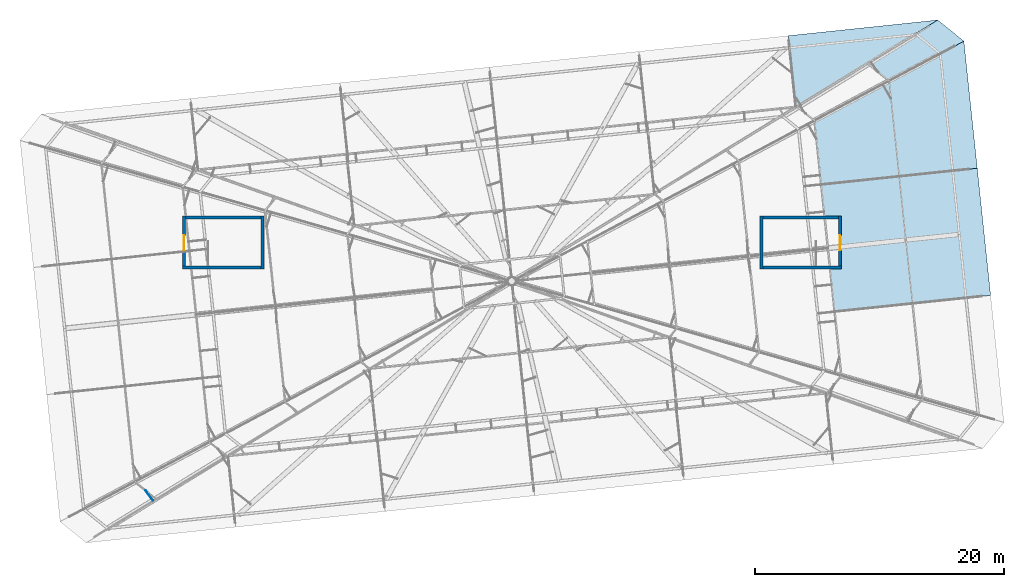
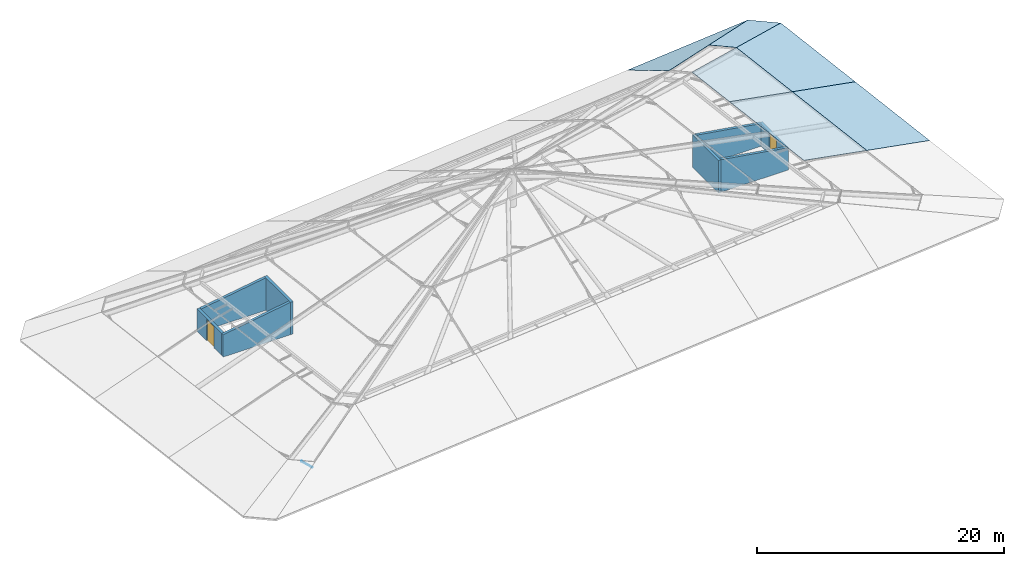
"""IFC4 building model written with IfcOpenShell, lengths in metres."""

import ifcopenshell
import ifcopenshell.guid

model = None  # the IFC model being written
_history = None  # IfcOwnerHistory: only IFC2X3 demands one
_inside = {}  # id of a spatial element -> (the spatial element, [elements in it])
_under = {}  # id of a project, library or spatial element -> (it, [spatial elements below it])
_declared = {}  # id of a project -> (the project, [libraries it declares])
_typed = {}  # id of a type object -> (the type object, [elements of that type])
_made_of = {}  # id of a material, layer set ... -> (it, [elements and type objects made of it])


def new_model(schema):
    """Start an empty IFC model of exactly this schema.

    Asked for "IFC4X3", IfcOpenShell would pick the latest addendum, in which some entities
    have other attributes; the version numbers below select the first issue.
    IFC2X3 requires an IfcOwnerHistory on every rooted entity: one is made here for all.
    """
    global model, _history
    if schema == "IFC4X3":
        model = ifcopenshell.file(schema_version=(4, 3, 0, 0))
    else:
        model = ifcopenshell.file(schema=schema)
    _inside.clear()
    _under.clear()
    _declared.clear()
    _typed.clear()
    _made_of.clear()
    _history = None
    if model.schema == "IFC2X3":
        org = make("IfcOrganization", Name="unknown")
        user = make(
            "IfcPersonAndOrganization",
            ThePerson=make("IfcPerson", FamilyName="unknown"),
            TheOrganization=org,
        )
        app = make(
            "IfcApplication",
            ApplicationDeveloper=org,
            Version="unknown",
            ApplicationFullName="unknown",
            ApplicationIdentifier="unknown",
        )
        _history = make(
            "IfcOwnerHistory",
            OwningUser=user,
            OwningApplication=app,
            ChangeAction="ADDED",
            CreationDate=0,
        )
    return model


def make(cls, **values):
    """One entity of the class cls with the attributes given. An attribute that is None is left unset."""
    return model.create_entity(
        cls, **{name: value for name, value in values.items() if value is not None}
    )


def rooted(cls, **values):
    """An entity with a GlobalId (a new one), such as an element, a storey or a relation."""
    return make(cls, GlobalId=ifcopenshell.guid.new(), OwnerHistory=_history, **values)


def si_unit(unit_type, name, prefix=None):
    """IfcSIUnit, for example si_unit("LENGTHUNIT", "METRE", prefix="MILLI")."""
    return make("IfcSIUnit", UnitType=unit_type, Prefix=prefix, Name=name)


def assignment(units):
    """IfcUnitAssignment: the units of a project."""
    return None if units is None else make("IfcUnitAssignment", Units=units)


def point(xyz):
    """IfcCartesianPoint."""
    return None if xyz is None else make("IfcCartesianPoint", Coordinates=xyz)


def direction(xyz):
    """IfcDirection."""
    return None if xyz is None else make("IfcDirection", DirectionRatios=xyz)


def frame(location, z_axis=None, x_axis=None):
    """IfcAxis2Placement3D, a coordinate frame: its origin and axes. An axis left out is left unset."""
    return make(
        "IfcAxis2Placement3D",
        Location=point(location),
        Axis=direction(z_axis),
        RefDirection=direction(x_axis),
    )


def frame_2d(location, x_axis=None):
    """IfcAxis2Placement2D, a coordinate frame in the plane: its origin and x axis."""
    return make(
        "IfcAxis2Placement2D", Location=point(location), RefDirection=direction(x_axis)
    )


def origin():
    """The frame at (0, 0, 0) with its axes left unset."""
    return frame((0.0, 0.0, 0.0))


def origin_2d():
    """The frame at (0, 0) in the plane with its x axis left unset."""
    return frame_2d((0.0, 0.0))


def place(relative_to, where):
    """IfcLocalPlacement: puts the frame where relative to a parent placement (None: the world)."""
    return make(
        "IfcLocalPlacement", PlacementRelTo=relative_to, RelativePlacement=where
    )


def context(
    kind, dimensions, precision=None, world=None, true_north=None, identifier=None
):
    """IfcGeometricRepresentationContext, for example the 3D "Model" context."""
    return make(
        "IfcGeometricRepresentationContext",
        ContextIdentifier=identifier,
        ContextType=kind,
        CoordinateSpaceDimension=dimensions,
        Precision=precision,
        WorldCoordinateSystem=world,
        TrueNorth=true_north,
    )


def subcontext(parent, identifier, kind, view, scale=None):
    """IfcGeometricRepresentationSubContext, for example "Body" below "Model"."""
    return make(
        "IfcGeometricRepresentationSubContext",
        ContextIdentifier=identifier,
        ContextType=kind,
        ParentContext=parent,
        TargetScale=scale,
        TargetView=view,
    )


def project(units=None, contexts=None):
    """IfcProject with its units and contexts."""
    return rooted(
        "IfcProject",
        Name="project",
        RepresentationContexts=contexts,
        UnitsInContext=assignment(units),
    )


def spatial(cls, under=None, at=None, **own):
    """A site, building, storey or space (cls), placed at a placement, below another one or the project."""
    s = rooted(cls, ObjectPlacement=at, **own)
    if under is not None:
        _under.setdefault(under.id(), (under, []))[1].append(s)
    return s


def polyline(points):
    """IfcPolyline through the points."""
    return make("IfcPolyline", Points=[point(p) for p in points])


def profile(cls, at=None, kind="AREA", **sizes):
    """A parametric profile (cls). Its sizes go by their IFC names, for example OverallWidth=200.0."""
    return make(cls, ProfileType=kind, Position=at, **sizes)


def rectangle(**sizes):
    """IfcRectangleProfileDef."""
    return profile("IfcRectangleProfileDef", **sizes)


def outline(outer, holes=None, kind="AREA"):
    """IfcArbitraryClosedProfileDef: a profile drawn as a closed curve; with holes, ...WithVoids."""
    if holes is None:
        return make("IfcArbitraryClosedProfileDef", ProfileType=kind, OuterCurve=outer)
    return make(
        "IfcArbitraryProfileDefWithVoids",
        ProfileType=kind,
        OuterCurve=outer,
        InnerCurves=holes,
    )


def extrude(swept, where, along, depth):
    """IfcExtrudedAreaSolid: the profile swept, set in the frame where, extruded along a direction by depth."""
    return make(
        "IfcExtrudedAreaSolid",
        SweptArea=swept,
        Position=where,
        ExtrudedDirection=direction(along),
        Depth=depth,
    )


def shape(context_of_items, identifier, shape_type, items):
    """IfcShapeRepresentation: the items that make up one representation, for example the "Body"."""
    return make(
        "IfcShapeRepresentation",
        ContextOfItems=context_of_items,
        RepresentationIdentifier=identifier,
        RepresentationType=shape_type,
        Items=items,
    )


def material(Name=None, Category=None):
    """IfcMaterial."""
    return make("IfcMaterial", Name=Name, Category=Category)


def layer(
    of_material, thickness, ventilated=None, Name=None, Category=None, Priority=None
):
    """IfcMaterialLayer: one layer of a wall or slab, of a material (None: an air gap)."""
    return make(
        "IfcMaterialLayer",
        Material=of_material,
        LayerThickness=thickness,
        IsVentilated=ventilated,
        Name=Name,
        Category=Category,
        Priority=Priority,
    )


def layer_set(layers, Name=None):
    """IfcMaterialLayerSet."""
    return make("IfcMaterialLayerSet", MaterialLayers=layers, LayerSetName=Name)


def material_profile(
    of_material, cross_section, Name=None, Category=None, Priority=None
):
    """IfcMaterialProfile: a cross section and its material."""
    return make(
        "IfcMaterialProfile",
        Name=Name,
        Material=of_material,
        Profile=cross_section,
        Priority=Priority,
        Category=Category,
    )


def profile_set(profiles, Name=None, composite=None):
    """IfcMaterialProfileSet."""
    return make(
        "IfcMaterialProfileSet",
        Name=Name,
        MaterialProfiles=profiles,
        CompositeProfile=composite,
    )


def made_of(thing, what):
    """Note that an element or type object is made of a material, layer set ...; save() writes the relation."""
    if what is not None:
        _made_of.setdefault(what.id(), (what, []))[1].append(thing)
    return thing


def type_object(cls, material=None, **own):
    """A type object (cls), such as IfcWallType, which elements share."""
    return made_of(rooted(cls, **own), material)


def element(
    cls,
    number,
    at=None,
    inside=None,
    cuts=None,
    type_object=None,
    material=None,
    context=None,
    identifier="Body",
    shape_type=None,
    held_by="IfcProductDefinitionShape",
    body=None,
    shapes=None,
    **own,
):
    """One element of the class cls, such as IfcWall. Its Tag is "e" and its number.

    at: its placement. inside: the storey or other place that contains it. cuts: it is an
    opening in that element (IfcRelVoidsElement). A single representation is given by context,
    identifier, shape_type and body (its items); several are given by shapes. held_by: the class
    of the entity that holds the representations. save() writes the other relations.
    """
    e = rooted(cls, Tag="e%d" % number, ObjectPlacement=at, **own)
    if body is not None:
        shapes = [shape(context, identifier, shape_type, body)]
    if shapes is not None:
        e.Representation = make(held_by, Representations=shapes)
    if inside is not None:
        _inside.setdefault(inside.id(), (inside, []))[1].append(e)
    if cuts is not None:
        rooted(
            "IfcRelVoidsElement", RelatingBuildingElement=cuts, RelatedOpeningElement=e
        )
    if type_object is not None:
        _typed.setdefault(type_object.id(), (type_object, []))[1].append(e)
    return made_of(e, material)


def fill(opening, filler):
    """IfcRelFillsElement: the door or window that sits in an opening."""
    return rooted(
        "IfcRelFillsElement",
        RelatingOpeningElement=opening,
        RelatedBuildingElement=filler,
    )


def aggregate(whole, parts):
    """IfcRelAggregates: a whole, such as a stair, and the parts it consists of."""
    return rooted("IfcRelAggregates", RelatingObject=whole, RelatedObjects=parts)


def save(model, path):
    """Write the relations noted so far, then the file.

    IfcRelAggregates (storeys below a building ...), IfcRelContainedInSpatialStructure (elements
    in a storey), IfcRelDefinesByType, IfcRelAssociatesMaterial and IfcRelDeclares: one each for
    every whole, place, type object, material and project.
    """
    for whole, parts in _under.values():
        aggregate(whole, parts)
    for where, things in _inside.values():
        rooted(
            "IfcRelContainedInSpatialStructure",
            RelatedElements=things,
            RelatingStructure=where,
        )
    for kind, things in _typed.values():
        rooted("IfcRelDefinesByType", RelatedObjects=things, RelatingType=kind)
    for what, things in _made_of.values():
        rooted("IfcRelAssociatesMaterial", RelatedObjects=things, RelatingMaterial=what)
    for by, libraries in _declared.values():
        rooted("IfcRelDeclares", RelatingContext=by, RelatedDefinitions=libraries)
    model.write(path)


model = new_model("IFC4")

# Units and contexts
model_context = context("Model", 3, precision=1e-05, world=origin(), true_north=direction((0.0, 1.0)))
body_context = subcontext(model_context, "Body", "Model", "MODEL_VIEW")
ifc_project = project(units=[si_unit("LENGTHUNIT", "METRE"), si_unit("AREAUNIT", "SQUARE_METRE"), si_unit("VOLUMEUNIT", "CUBIC_METRE"), si_unit("PLANEANGLEUNIT", "RADIAN"), si_unit("MASSUNIT", "GRAM", prefix="KILO")], contexts=[model_context])

# Site, building, storey
site_placement = place(None, origin())
site = spatial("IfcSite", under=ifc_project, at=site_placement, CompositionType="ELEMENT")
building_placement = place(site_placement, origin())
building = spatial("IfcBuilding", under=site, at=building_placement, Name="Hakoniwa Tower and Hamabe Station Hall", CompositionType="ELEMENT")
storey_1_placement = place(building_placement, frame((0.0, 0.0, 285.0)))
storey_1 = spatial("IfcBuildingStorey", under=building, at=storey_1_placement, Name="Roof", CompositionType="ELEMENT", Elevation=285.0)

# Curtain wall, plate
ifc_material_1 = material(Name="Dark low-e laminated glass", Category="glass")
ifc_layer_1 = layer(ifc_material_1, 0.199951171875)
ifc_layer_set_1 = layer_set([ifc_layer_1], Name="CW-4 CROWN FACETS")
curtain_wall_type = type_object("IfcCurtainWallType", Name="CW-4 CROWN FACETS", PredefinedType="NOTDEFINED", material=ifc_layer_set_1)
curtain_wall_1_placement = place(storey_1_placement, origin())
curtain_wall_1 = element("IfcCurtainWall", 1, at=curtain_wall_1_placement, inside=storey_1, type_object=curtain_wall_type, Name="Crown tent facet", PredefinedType="NOTDEFINED")
ifc_material_2 = material(Name="Dark low-e laminated glass", Category="glass")
ifc_layer_2 = layer(ifc_material_2, 0.030029296875)
ifc_layer_set_2 = layer_set([ifc_layer_2], Name="CW-4 CROWN GLASS FACET")
plate_type = type_object("IfcPlateType", Name="CW-4 CROWN GLASS FACET", PredefinedType="CURTAIN_PANEL", material=ifc_layer_set_2)
plate_1_placement = place(storey_1_placement, frame((36.282470703125, 21.788330078125, 0.0), z_axis=(0.156299724899, 0.193013522208, 0.968667216459), x_axis=(-0.859369425216, -0.456862685807, 0.229696924929)))
plate_1 = element("IfcPlate", 2, at=plate_1_placement, type_object=plate_type, Name="Crown glass facet", PredefinedType="CURTAIN_PANEL", context=body_context, shape_type="SweptSolid", body=[
    extrude(outline(polyline([(0.0, 0.0), (6.966233714325253, 3.608224830031759e-16), (7.823951841362649, -2.0859093861398232), (1.027387768413214, -2.4979567111873657), (0.0, 0.0)])), origin(), (0.0, 0.0, -1.0), 0.030029296875),
])
aggregate(curtain_wall_1, [plate_1])

curtain_wall_2_placement = place(storey_1_placement, origin())
curtain_wall_2 = element("IfcCurtainWall", 3, at=curtain_wall_2_placement, inside=storey_1, type_object=curtain_wall_type, Name="Crown tent facet", PredefinedType="NOTDEFINED")
plate_2_placement = place(storey_1_placement, frame((22.903076171875, 16.56201171875, 3.199951171875), z_axis=(-0.051102470351, 0.486267045806, 0.872314678134), x_axis=(-0.99463518968, -0.103443095395, -0.000604537442)))
plate_2 = element("IfcPlate", 4, at=plate_2_placement, type_object=plate_type, Name="Crown glass facet", PredefinedType="CURTAIN_PANEL", context=body_context, shape_type="SweptSolid", body=[
    extrude(outline(polyline([(0.0, 0.0), (0.1207607693329245, 1.734723475976807e-18), (0.1291195407198437, -6.544450400478858), (-11.934271925045644, -6.559515046922116), (0.0, 0.0)])), origin(), (0.0, 0.0, -1.0), 0.030029296875),
])
aggregate(curtain_wall_2, [plate_2])

curtain_wall_3_placement = place(storey_1_placement, origin())
curtain_wall_3 = element("IfcCurtainWall", 5, at=curtain_wall_3_placement, inside=storey_1, type_object=curtain_wall_type, Name="Crown tent facet", PredefinedType="NOTDEFINED")
plate_3_placement = place(storey_1_placement, frame((36.282470703125, 21.788330078125, 0.0), z_axis=(0.245315354742, 0.025785475195, 0.969100348775), x_axis=(0.104532624681, -0.994521457977, 7.74409e-07)))
plate_3 = element("IfcPlate", 6, at=plate_3_placement, type_object=plate_type, Name="Crown glass facet", PredefinedType="CURTAIN_PANEL", context=body_context, shape_type="SweptSolid", body=[
    extrude(outline(polyline([(0.0, 0.0), (10.26006742098936, 0.0), (10.260161509736967, -6.486846470533249), (2.539390212854627, -6.486902921275184), (0.0, 0.0)])), origin(), (0.0, 0.0, -1.0), 0.030029296875),
])
aggregate(curtain_wall_3, [plate_3])

curtain_wall_4_placement = place(storey_1_placement, origin())
curtain_wall_4 = element("IfcCurtainWall", 7, at=curtain_wall_4_placement, inside=storey_1, type_object=curtain_wall_type, Name="Crown tent facet", PredefinedType="NOTDEFINED")
plate_4_placement = place(storey_1_placement, frame((24.309326171875, 15.423095703125, 3.199951171875), z_axis=(0.245276693383, 0.025779790594, 0.969110285819), x_axis=(0.859377644025, 0.456867149207, -0.229657294517)))
plate_4 = element("IfcPlate", 8, at=plate_4_placement, type_object=plate_type, Name="Crown glass facet", PredefinedType="CURTAIN_PANEL", context=body_context, shape_type="SweptSolid", body=[
    extrude(outline(polyline([(0.0, 0.0), (6.966177640912726, 2.498001805406602e-16), (4.151766943018575, -7.189534188330211), (-1.8888033292781656, -4.824658164641469), (0.0, 0.0)])), origin(), (0.0, 0.0, -1.0), 0.030029296875),
])
aggregate(curtain_wall_4, [plate_4])

curtain_wall_5_placement = place(storey_1_placement, origin())
curtain_wall_5 = element("IfcCurtainWall", 9, at=curtain_wall_5_placement, inside=storey_1, type_object=curtain_wall_type, Name="Crown tent facet", PredefinedType="NOTDEFINED")
plate_5_placement = place(storey_1_placement, frame((38.427490234375, 1.380615234375, 0.0), z_axis=(0.245316656436, 0.025784808511, 0.969100037006), x_axis=(-0.9637892854, -0.101316805541, 0.24666803251)))
plate_5 = element("IfcPlate", 10, at=plate_5_placement, type_object=plate_type, Name="Crown glass facet", PredefinedType="CURTAIN_PANEL", context=body_context, shape_type="SweptSolid", body=[
    extrude(outline(polyline([(0.0, 0.0), (6.486846471220787, -9.859463506040056e-19), (6.486697653635684, -10.260067419913373), (-0.00014881758510321141, -10.260067419913373), (0.0, 0.0)])), origin(), (0.0, 0.0, -1.0), 0.030029296875),
])
aggregate(curtain_wall_5, [plate_5])

curtain_wall_6_placement = place(storey_1_placement, origin())
curtain_wall_6 = element("IfcCurtainWall", 11, at=curtain_wall_6_placement, inside=storey_1, type_object=curtain_wall_type, Name="Crown tent facet", PredefinedType="NOTDEFINED")
plate_6_placement = place(storey_1_placement, frame((24.850830078125, 10.270263671875, 3.199951171875), z_axis=(0.245273541377, 0.025780276762, 0.969111070637), x_axis=(0.96380458218, 0.101276821846, -0.246624679879)))
plate_6 = element("IfcPlate", 12, at=plate_6_placement, type_object=plate_type, Name="Crown glass facet", PredefinedType="CURTAIN_PANEL", context=body_context, shape_type="SweptSolid", body=[
    extrude(outline(polyline([(0.0, 0.0), (6.486996826143755, -4.4232060505619564e-17), (6.48727240243183, -10.260067417291772), (0.00027557628807528545, -10.260067417291772), (0.0, 0.0)])), origin(), (0.0, 0.0, -1.0), 0.030029296875),
])
aggregate(curtain_wall_6, [plate_6])

# Walls
ifc_material_3 = material(Name="Concrete C60", Category="concrete")
ifc_layer_3 = layer(ifc_material_3, 0.25)
ifc_layer_set_3 = layer_set([ifc_layer_3], Name="CORE WEB WALL 250 C60")
wall_type = type_object("IfcWallType", Name="CORE WEB WALL 250 C60", PredefinedType="SHEAR", material=ifc_layer_set_3)
wall_1_placement = place(storey_1_placement, frame((-20.02490234375, 3.5, 0.0), z_axis=(0.0, 0.0, 1.0), x_axis=(0.0, 1.0, 0.0)))
element("IfcWall", 13, at=wall_1_placement, inside=storey_1, type_object=wall_type, Name="Core wall HHW west", PredefinedType="SHEAR", context=body_context, shape_type="SweptSolid", body=[
    extrude(rectangle(XDim=4.25, YDim=0.25, at=frame_2d((2.125, 0.0))), origin(), (0.0, 0.0, 1.0), 3.2099609375),
])
wall_2_placement = place(storey_1_placement, frame((-26.449951171875, 3.625, 0.0), z_axis=(0.0, 0.0, 1.0), x_axis=(1.0, 0.0, 0.0)))
element("IfcWall", 14, at=wall_2_placement, inside=storey_1, type_object=wall_type, Name="Core wall HHS west", PredefinedType="SHEAR", context=body_context, shape_type="SweptSolid", body=[
    extrude(outline(polyline([(0.0, 0.0), (6.300048828125, 0.0), (6.300048828125, 3.2099609375), (0.0, 2.199951171875), (0.0, 0.0)])), frame((0.0, 0.125, 0.0), z_axis=(0.0, -1.0, 0.0), x_axis=(1.0, 0.0, 0.0)), (0.0, 0.0, 1.0), 0.25),
])

# Wall, opening
wall_3_placement = place(storey_1_placement, frame((-26.324951171875, 3.75, 0.0), z_axis=(0.0, 0.0, 1.0), x_axis=(0.0, 1.0, 0.0)))
wall_3 = element("IfcWall", 15, at=wall_3_placement, inside=storey_1, type_object=wall_type, Name="Core wall HHE west", PredefinedType="SHEAR", context=body_context, shape_type="SweptSolid", body=[
    extrude(rectangle(XDim=4.0, YDim=0.25, at=frame_2d((2.0, 0.0))), origin(), (0.0, 0.0, 1.0), 2.199951171875),
])
opening_1_placement = place(wall_3_placement, frame((1.25, 0.0, 0.0)))
opening_1 = element("IfcOpeningElement", 16, at=opening_1_placement, cuts=wall_3, Name="Opening CD-W-HH-12", PredefinedType="OPENING", context=body_context, shape_type="SweptSolid", body=[
    extrude(rectangle(XDim=1.199951171875, YDim=2.10009765625, at=frame_2d((0.60009765625, 1.050048828125))), frame((0.0, 0.135009765625, 0.0), z_axis=(0.0, -1.0, 0.0), x_axis=(1.0, 0.0, 0.0)), (0.0, 0.0, 1.0), 0.27001953125),
])

# Storey
storey_2_placement = place(building_placement, frame((0.0, 0.0, 280.800048828125)))
storey_2 = spatial("IfcBuildingStorey", under=building, at=storey_2_placement, Name="L78", CompositionType="ELEMENT", Elevation=280.800048828125)

# Door
ifc_material_4 = material(Name="Steel fire door", Category="steel")
door_type = type_object("IfcDoorType", Name="CORE DOOR 1200 FD60", OperationType="DOUBLE_DOOR_SINGLE_SWING", PredefinedType="DOOR", material=ifc_material_4)
door_1_placement = place(opening_1_placement, origin())
door_1 = element("IfcDoor", 17, at=door_1_placement, inside=storey_2, type_object=door_type, Name="Roof stair door", OperationType="DOUBLE_DOOR_SINGLE_SWING", OverallHeight=2.10009765625, OverallWidth=1.199951171875, PredefinedType="DOOR", context=body_context, shape_type="SweptSolid", body=[
    extrude(rectangle(XDim=1.199951171875, YDim=2.10009765625, at=frame_2d((0.60009765625, 1.050048828125))), frame((0.0, 0.02490234375, 0.0), z_axis=(0.0, -1.0, 0.0), x_axis=(1.0, 0.0, 0.0)), (0.0, 0.0, 1.0), 0.050048828125),
])

fill(opening_1, door_1)

# Walls
wall_4_placement = place(storey_1_placement, frame((-26.199951171875, 7.625, 0.0), z_axis=(0.0, 0.0, 1.0), x_axis=(1.0, 0.0, 0.0)))
element("IfcWall", 18, at=wall_4_placement, inside=storey_1, type_object=wall_type, Name="Core wall HHN west", PredefinedType="SHEAR", context=body_context, shape_type="SweptSolid", body=[
    extrude(outline(polyline([(0.0, 0.0), (6.050048828125, 0.0), (6.050048828125, 3.2099609375), (0.0, 2.239990234375), (0.0, 0.0)])), frame((0.0, 0.125, 0.0), z_axis=(0.0, -1.0, 0.0), x_axis=(1.0, 0.0, 0.0)), (0.0, 0.0, 1.0), 0.25),
])
wall_5_placement = place(storey_1_placement, frame((20.02490234375, 3.5, 0.0), z_axis=(0.0, 0.0, 1.0), x_axis=(0.0, 1.0, 0.0)))
element("IfcWall", 19, at=wall_5_placement, inside=storey_1, type_object=wall_type, Name="Core wall HHW east", PredefinedType="SHEAR", context=body_context, shape_type="SweptSolid", body=[
    extrude(rectangle(XDim=4.25, YDim=0.25, at=frame_2d((2.125, 0.0))), origin(), (0.0, 0.0, 1.0), 3.2099609375),
])
wall_6_placement = place(storey_1_placement, frame((20.14990234375, 3.625, 0.0), z_axis=(0.0, 0.0, 1.0), x_axis=(1.0, 0.0, 0.0)))
element("IfcWall", 20, at=wall_6_placement, inside=storey_1, type_object=wall_type, Name="Core wall HHS east", PredefinedType="SHEAR", context=body_context, shape_type="SweptSolid", body=[
    extrude(outline(polyline([(0.0, 0.0), (6.300048828125, 0.0), (6.300048828125, 2.199951171875), (0.0, 3.2099609375), (0.0, 0.0)])), frame((0.0, 0.125, 0.0), z_axis=(0.0, -1.0, 0.0), x_axis=(1.0, 0.0, 0.0)), (0.0, 0.0, 1.0), 0.25),
])

# Wall, opening, door
wall_7_placement = place(storey_1_placement, frame((26.324951171875, 3.75, 0.0), z_axis=(0.0, 0.0, 1.0), x_axis=(0.0, 1.0, 0.0)))
wall_7 = element("IfcWall", 21, at=wall_7_placement, inside=storey_1, type_object=wall_type, Name="Core wall HHE east", PredefinedType="SHEAR", context=body_context, shape_type="SweptSolid", body=[
    extrude(rectangle(XDim=4.0, YDim=0.25, at=frame_2d((2.0, 0.0))), origin(), (0.0, 0.0, 1.0), 2.199951171875),
])
opening_2_placement = place(wall_7_placement, frame((1.25, 0.0, 0.0)))
opening_2 = element("IfcOpeningElement", 22, at=opening_2_placement, cuts=wall_7, Name="Opening CD-E-HH-12", PredefinedType="OPENING", context=body_context, shape_type="SweptSolid", body=[
    extrude(rectangle(XDim=1.199951171875, YDim=2.10009765625, at=frame_2d((0.60009765625, 1.050048828125))), frame((0.0, 0.135009765625, 0.0), z_axis=(0.0, -1.0, 0.0), x_axis=(1.0, 0.0, 0.0)), (0.0, 0.0, 1.0), 0.27001953125),
])
door_2_placement = place(opening_2_placement, frame((1.199951171875, 0.0, 0.0), z_axis=(0.0, 0.0, 1.0), x_axis=(-1.0, 0.0, 0.0)))
door_2 = element("IfcDoor", 23, at=door_2_placement, inside=storey_2, type_object=door_type, Name="Roof stair door", OperationType="DOUBLE_DOOR_SINGLE_SWING", OverallHeight=2.10009765625, OverallWidth=1.199951171875, PredefinedType="DOOR", context=body_context, shape_type="SweptSolid", body=[
    extrude(rectangle(XDim=1.199951171875, YDim=2.10009765625, at=frame_2d((0.60009765625, 1.050048828125))), frame((0.0, 0.02490234375, 0.0), z_axis=(0.0, -1.0, 0.0), x_axis=(1.0, 0.0, 0.0)), (0.0, 0.0, 1.0), 0.050048828125),
])
fill(opening_2, door_2)

# Wall
wall_8_placement = place(storey_1_placement, frame((20.14990234375, 7.625, 0.0), z_axis=(0.0, 0.0, 1.0), x_axis=(1.0, 0.0, 0.0)))
element("IfcWall", 24, at=wall_8_placement, inside=storey_1, type_object=wall_type, Name="Core wall HHN east", PredefinedType="SHEAR", context=body_context, shape_type="SweptSolid", body=[
    extrude(outline(polyline([(0.0, 0.0), (6.050048828125, 0.0), (6.050048828125, 2.239990234375), (0.0, 3.2099609375), (0.0, 0.0)])), frame((0.0, 0.125, 0.0), z_axis=(0.0, -1.0, 0.0), x_axis=(1.0, 0.0, 0.0)), (0.0, 0.0, 1.0), 0.25),
])

# Discrete accessory
ifc_material_5 = material(Name="Stainless steel SUS304", Category="steel")
ifc_material_profile = material_profile(ifc_material_5, rectangle(XDim=0.050048828125, YDim=0.050048828125, at=origin_2d()), Name="CW-4 GLAZING BRACKET 50X50")
ifc_profile_set = profile_set([ifc_material_profile], Name="Stainless steel SUS304")
discrete_accessory_type = type_object("IfcDiscreteAccessoryType", Name="CW-4 GLAZING BRACKET 50X50", PredefinedType="BRACKET", material=ifc_profile_set)
discrete_accessory_placement = place(storey_1_placement, frame((-29.407958984375, -14.294677734375, 1.51318359375), z_axis=(0.560244048832, -0.76638935696, -0.314283246906), x_axis=(0.807295625031, 0.590147247563, 0.0)))
element("IfcDiscreteAccessory", 25, at=discrete_accessory_placement, inside=storey_1, type_object=discrete_accessory_type, Name="Glazing bracket", PredefinedType="BRACKET", context=body_context, shape_type="SweptSolid", body=[
    extrude(rectangle(XDim=0.050048828125, YDim=0.050048828125, at=origin_2d()), origin(), (0.0, 0.0, 1.0), 1.036376953125),
])

save(model, "model.ifc")
